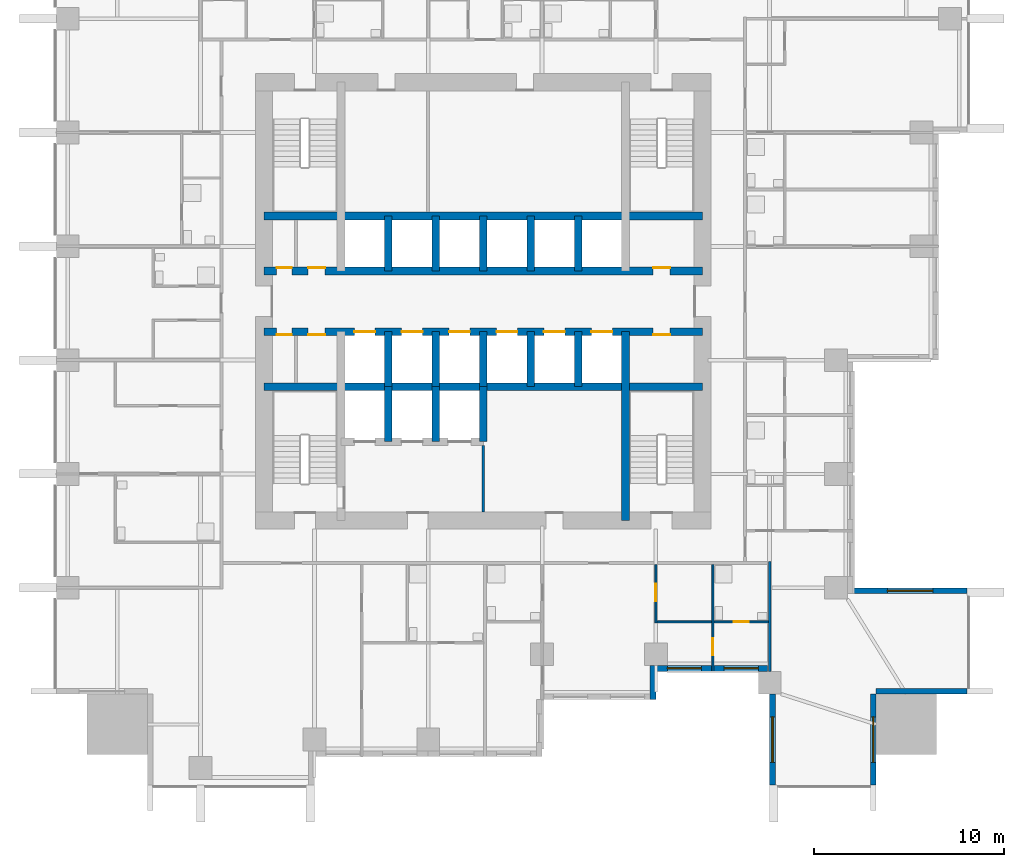
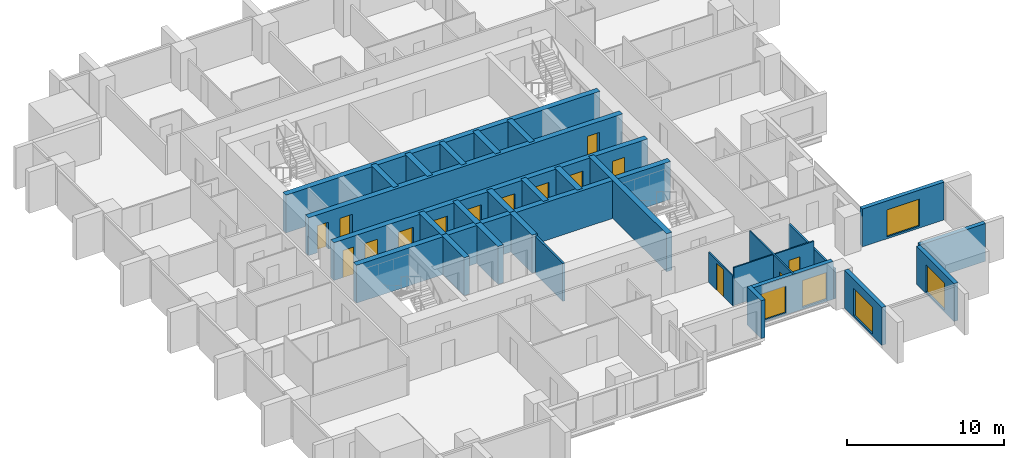
# One storey, part 5 of 10: 29 walls, 15 doors, 5 windows, 20 openings.
"""IFC4 building model written with IfcOpenShell, lengths in metres."""

from ifc_helpers import new_model, si_unit, direction, frame, frame_2d, origin, place, context, subcontext, project, spatial, rectangle, extrude, material, layer, layer_set, type_object, element, fill, save


model = new_model("IFC4")

# Units and contexts
model_context = context("Model", 3, precision=1e-05, world=origin(), true_north=direction((0.0, 1.0)))
body_context = subcontext(model_context, "Body", "Model", "MODEL_VIEW")
ifc_project = project(units=[si_unit("LENGTHUNIT", "METRE"), si_unit("AREAUNIT", "SQUARE_METRE"), si_unit("VOLUMEUNIT", "CUBIC_METRE"), si_unit("PLANEANGLEUNIT", "RADIAN"), si_unit("MASSUNIT", "GRAM", prefix="KILO")], contexts=[model_context])

# Site, building, storey
site_placement = place(None, origin())
site = spatial("IfcSite", under=ifc_project, at=site_placement, CompositionType="ELEMENT")
building_placement = place(site_placement, origin())
building = spatial("IfcBuilding", under=site, at=building_placement, Name="Amberfall Residences", CompositionType="ELEMENT")
storey_placement = place(building_placement, frame((0.0, 0.0, 66.39990234375)))
storey = spatial("IfcBuildingStorey", under=building, at=storey_placement, Name="L18", CompositionType="ELEMENT", Elevation=66.39990234375)

# Wall
ifc_material_1 = material(Name="Pale stone cladding on insulated backing", Category="masonry")
ifc_layer_1 = layer(ifc_material_1, 0.300048828125)
ifc_layer_set_1 = layer_set([ifc_layer_1], Name="Bronze clad wall 300")
wall_type_1 = type_object("IfcWallType", Name="Bronze clad wall 300", PredefinedType="SOLIDWALL", material=ifc_layer_set_1)
wall_1_placement = place(storey_placement, frame((83.449951171875, 24.5, 0.0), z_axis=(0.0, 0.0, 1.0), x_axis=(0.0, 1.0, 0.0)))
element("IfcWall", 1, at=wall_1_placement, inside=storey, type_object=wall_type_1, Name="External wall L18 S", PredefinedType="SOLIDWALL", context=body_context, shape_type="SweptSolid", body=[
    extrude(rectangle(XDim=1.800048828125, YDim=0.300048828125, at=frame_2d((0.89990234375, 0.0))), origin(), (0.0, 0.0, 1.0), 2.9501953125),
])

# Wall, opening, window
wall_2_placement = place(storey_placement, frame((89.75, 24.800048828125, 0.0), z_axis=(0.0, 0.0, 1.0), x_axis=(0.0, -1.0, 0.0)))
wall_2 = element("IfcWall", 2, at=wall_2_placement, inside=storey, type_object=wall_type_1, Name="External wall L18 S", PredefinedType="SOLIDWALL", context=body_context, shape_type="SweptSolid", body=[
    extrude(rectangle(XDim=4.800048828125, YDim=0.300048828125, at=frame_2d((2.39990234375, 0.0))), origin(), (0.0, 0.0, 1.0), 2.9501953125),
])
opening_1_placement = place(wall_2_placement, frame((1.199951171875, 0.0, 0.14990234375)))
opening_1 = element("IfcOpeningElement", 3, at=opening_1_placement, cuts=wall_2, Name="Opening WN5", PredefinedType="OPENING", context=body_context, shape_type="SweptSolid", body=[
    extrude(rectangle(XDim=2.39990234375, YDim=2.10009765625, at=frame_2d((1.199951171875, 1.050048828125))), frame((0.0, 0.159912109375, 0.0), z_axis=(0.0, -1.0, 0.0), x_axis=(1.0, 0.0, 0.0)), (0.0, 0.0, 1.0), 0.320068359375),
])
ifc_material_2 = material(Name="Bronze aluminium framed glazing", Category="aluminium")
window_type_1 = type_object("IfcWindowType", Name="Glazed opening 2400 x 2100 bronze", PartitioningType="DOUBLE_PANEL_VERTICAL", PredefinedType="WINDOW", material=ifc_material_2)
window_1_placement = place(opening_1_placement, origin())
window_1 = element("IfcWindow", 4, at=window_1_placement, inside=storey, type_object=window_type_1, Name="Window L18 S", OverallHeight=2.10009765625, OverallWidth=2.39990234375, PartitioningType="DOUBLE_PANEL_VERTICAL", PredefinedType="WINDOW", context=body_context, shape_type="SweptSolid", body=[
    extrude(rectangle(XDim=2.39990234375, YDim=2.10009765625, at=frame_2d((1.199951171875, 1.050048828125))), frame((0.0, 0.030029296875, 0.0), z_axis=(0.0, -1.0, 0.0), x_axis=(1.0, 0.0, 0.0)), (0.0, 0.0, 1.0), 0.06005859375),
])
fill(opening_1, window_1)

wall_3_placement = place(storey_placement, frame((95.050048828125, 20.0, 0.0), z_axis=(0.0, 0.0, 1.0), x_axis=(0.0, 1.0, 0.0)))
wall_3 = element("IfcWall", 5, at=wall_3_placement, inside=storey, type_object=wall_type_1, Name="External wall L18 SE", PredefinedType="SOLIDWALL", context=body_context, shape_type="SweptSolid", body=[
    extrude(rectangle(XDim=4.800048828125, YDim=0.300048828125, at=frame_2d((2.39990234375, 0.0))), origin(), (0.0, 0.0, 1.0), 2.9501953125),
])
opening_2_placement = place(wall_3_placement, frame((1.199951171875, 0.0, 0.14990234375)))
opening_2 = element("IfcOpeningElement", 6, at=opening_2_placement, cuts=wall_3, Name="Opening WN5", PredefinedType="OPENING", context=body_context, shape_type="SweptSolid", body=[
    extrude(rectangle(XDim=2.39990234375, YDim=2.10009765625, at=frame_2d((1.199951171875, 1.050048828125))), frame((0.0, 0.159912109375, 0.0), z_axis=(0.0, -1.0, 0.0), x_axis=(1.0, 0.0, 0.0)), (0.0, 0.0, 1.0), 0.320068359375),
])
window_2_placement = place(opening_2_placement, origin())
window_2 = element("IfcWindow", 7, at=window_2_placement, inside=storey, type_object=window_type_1, Name="Window L18 SE", OverallHeight=2.10009765625, OverallWidth=2.39990234375, PartitioningType="DOUBLE_PANEL_VERTICAL", PredefinedType="WINDOW", context=body_context, shape_type="SweptSolid", body=[
    extrude(rectangle(XDim=2.39990234375, YDim=2.10009765625, at=frame_2d((1.199951171875, 1.050048828125))), frame((0.0, 0.030029296875, 0.0), z_axis=(0.0, -1.0, 0.0), x_axis=(1.0, 0.0, 0.0)), (0.0, 0.0, 1.0), 0.06005859375),
])
fill(opening_2, window_2)

# Wall
wall_4_placement = place(storey_placement, frame((95.199951171875, 24.949951171875, 0.0), z_axis=(0.0, 0.0, 1.0), x_axis=(1.0, 0.0, 0.0)))
element("IfcWall", 8, at=wall_4_placement, inside=storey, type_object=wall_type_1, Name="External wall L18 SE", PredefinedType="SOLIDWALL", context=body_context, shape_type="SweptSolid", body=[
    extrude(rectangle(XDim=4.800048828125, YDim=0.300048828125, at=frame_2d((2.39990234375, 0.0))), origin(), (0.0, 0.0, 1.0), 2.9501953125),
])

# Wall, opening, window
wall_5_placement = place(storey_placement, frame((100.0, 30.25, 0.0), z_axis=(0.0, 0.0, 1.0), x_axis=(-1.0, 0.0, 0.0)))
wall_5 = element("IfcWall", 9, at=wall_5_placement, inside=storey, type_object=wall_type_1, Name="External wall L18 E", PredefinedType="SOLIDWALL", context=body_context, shape_type="SweptSolid", body=[
    extrude(rectangle(XDim=6.0, YDim=0.300048828125, at=frame_2d((3.0, 0.0))), origin(), (0.0, 0.0, 1.0), 2.9501953125),
])
opening_3_placement = place(wall_5_placement, frame((1.800048828125, 0.0, 0.14990234375)))
opening_3 = element("IfcOpeningElement", 10, at=opening_3_placement, cuts=wall_5, Name="Opening WN5", PredefinedType="OPENING", context=body_context, shape_type="SweptSolid", body=[
    extrude(rectangle(XDim=2.39990234375, YDim=2.10009765625, at=frame_2d((1.199951171875, 1.050048828125))), frame((0.0, 0.159912109375, 0.0), z_axis=(0.0, -1.0, 0.0), x_axis=(1.0, 0.0, 0.0)), (0.0, 0.0, 1.0), 0.320068359375),
])
window_3_placement = place(opening_3_placement, origin())
window_3 = element("IfcWindow", 11, at=window_3_placement, inside=storey, type_object=window_type_1, Name="Window L18 E", OverallHeight=2.10009765625, OverallWidth=2.39990234375, PartitioningType="DOUBLE_PANEL_VERTICAL", PredefinedType="WINDOW", context=body_context, shape_type="SweptSolid", body=[
    extrude(rectangle(XDim=2.39990234375, YDim=2.10009765625, at=frame_2d((1.199951171875, 1.050048828125))), frame((0.0, 0.030029296875, 0.0), z_axis=(0.0, -1.0, 0.0), x_axis=(1.0, 0.0, 0.0)), (0.0, 0.0, 1.0), 0.06005859375),
])
fill(opening_3, window_3)

# Wall, openings, windows
wall_6_placement = place(storey_placement, frame((83.60009765625, 26.14990234375, 0.0), z_axis=(0.0, 0.0, 1.0), x_axis=(1.0, 0.0, 0.0)))
wall_6 = element("IfcWall", 12, at=wall_6_placement, inside=storey, type_object=wall_type_1, Name="Stone wall L18 S", PredefinedType="SOLIDWALL", context=body_context, shape_type="SweptSolid", body=[
    extrude(rectangle(XDim=5.8798828125, YDim=0.300048828125, at=frame_2d((2.93994140625, 0.0))), origin(), (0.0, 0.0, 1.0), 2.9501953125),
])
opening_4_placement = place(wall_6_placement, frame((0.60009765625, 0.0, 0.14990234375)))
opening_4 = element("IfcOpeningElement", 13, at=opening_4_placement, cuts=wall_6, Name="Opening WN6", PredefinedType="OPENING", context=body_context, shape_type="SweptSolid", body=[
    extrude(rectangle(XDim=1.800048828125, YDim=2.10009765625, at=frame_2d((0.89990234375, 1.050048828125))), frame((0.0, 0.159912109375, 0.0), z_axis=(0.0, -1.0, 0.0), x_axis=(1.0, 0.0, 0.0)), (0.0, 0.0, 1.0), 0.320068359375),
])
opening_5_placement = place(wall_6_placement, frame((3.60009765625, 0.0, 0.14990234375)))
opening_5 = element("IfcOpeningElement", 14, at=opening_5_placement, cuts=wall_6, Name="Opening WN6", PredefinedType="OPENING", context=body_context, shape_type="SweptSolid", body=[
    extrude(rectangle(XDim=1.800048828125, YDim=2.10009765625, at=frame_2d((0.89990234375, 1.050048828125))), frame((0.0, 0.159912109375, 0.0), z_axis=(0.0, -1.0, 0.0), x_axis=(1.0, 0.0, 0.0)), (0.0, 0.0, 1.0), 0.320068359375),
])
window_type_2 = type_object("IfcWindowType", Name="Glazed opening 1800 x 2100 bronze", PartitioningType="DOUBLE_PANEL_VERTICAL", PredefinedType="WINDOW", material=ifc_material_2)
window_4_placement = place(opening_4_placement, origin())
window_4 = element("IfcWindow", 15, at=window_4_placement, inside=storey, type_object=window_type_2, Name="Window L18 S", OverallHeight=2.10009765625, OverallWidth=1.800048828125, PartitioningType="DOUBLE_PANEL_VERTICAL", PredefinedType="WINDOW", context=body_context, shape_type="SweptSolid", body=[
    extrude(rectangle(XDim=1.800048828125, YDim=2.10009765625, at=frame_2d((0.89990234375, 1.050048828125))), frame((0.0, 0.030029296875, 0.0), z_axis=(0.0, -1.0, 0.0), x_axis=(1.0, 0.0, 0.0)), (0.0, 0.0, 1.0), 0.06005859375),
])
fill(opening_4, window_4)
window_5_placement = place(opening_5_placement, origin())
window_5 = element("IfcWindow", 16, at=window_5_placement, inside=storey, type_object=window_type_2, Name="Window L18 S", OverallHeight=2.10009765625, OverallWidth=1.800048828125, PartitioningType="DOUBLE_PANEL_VERTICAL", PredefinedType="WINDOW", context=body_context, shape_type="SweptSolid", body=[
    extrude(rectangle(XDim=1.800048828125, YDim=2.10009765625, at=frame_2d((0.89990234375, 1.050048828125))), frame((0.0, 0.030029296875, 0.0), z_axis=(0.0, -1.0, 0.0), x_axis=(1.0, 0.0, 0.0)), (0.0, 0.0, 1.0), 0.06005859375),
])
fill(opening_5, window_5)

# Wall
ifc_material_3 = material(Name="Concrete C80", Category="concrete")
ifc_layer_2 = layer(ifc_material_3, 0.39990234375)
ifc_layer_set_2 = layer_set([ifc_layer_2], Name="Core wall 400 C80")
wall_type_2 = type_object("IfcWallType", Name="Core wall 400 C80", PredefinedType="SHEAR", material=ifc_layer_set_2)
wall_7_placement = place(storey_placement, frame((62.949951171875, 41.0, 0.0), z_axis=(0.0, 0.0, 1.0), x_axis=(1.0, 0.0, 0.0)))
element("IfcWall", 17, at=wall_7_placement, inside=storey, type_object=wall_type_2, Name="Core wall RW2 L18 H75", PredefinedType="SHEAR", context=body_context, shape_type="SweptSolid", body=[
    extrude(rectangle(XDim=23.10009765625, YDim=0.39990234375, at=frame_2d((11.550048828125, 0.0))), origin(), (0.0, 0.0, 1.0), 2.9501953125),
])

# Wall, openings, doors
wall_8_placement = place(storey_placement, frame((62.949951171875, 43.89990234375, 0.0), z_axis=(0.0, 0.0, 1.0), x_axis=(1.0, 0.0, 0.0)))
wall_8 = element("IfcWall", 18, at=wall_8_placement, inside=storey, type_object=wall_type_2, Name="Core wall RW2 L18 H104", PredefinedType="SHEAR", context=body_context, shape_type="SweptSolid", body=[
    extrude(rectangle(XDim=23.10009765625, YDim=0.39990234375, at=frame_2d((11.550048828125, 0.0))), origin(), (0.0, 0.0, 1.0), 2.9501953125),
])
opening_6_placement = place(wall_8_placement, frame((0.662109375, 0.0, 0.0)))
opening_6 = element("IfcOpeningElement", 19, at=opening_6_placement, cuts=wall_8, Name="Opening RD2", PredefinedType="OPENING", context=body_context, shape_type="SweptSolid", body=[
    extrude(rectangle(XDim=0.800048828125, YDim=2.10009765625, at=frame_2d((0.39990234375, 1.050048828125))), frame((0.0, 0.2099609375, 0.0), z_axis=(0.0, -1.0, 0.0), x_axis=(1.0, 0.0, 0.0)), (0.0, 0.0, 1.0), 0.419921875),
])
opening_7_placement = place(wall_8_placement, frame((2.31201171875, 0.0, 0.0)))
opening_7 = element("IfcOpeningElement", 20, at=opening_7_placement, cuts=wall_8, Name="Opening RD1", PredefinedType="OPENING", context=body_context, shape_type="SweptSolid", body=[
    extrude(rectangle(XDim=0.89990234375, YDim=2.10009765625, at=frame_2d((0.449951171875, 1.050048828125))), frame((0.0, 0.2099609375, 0.0), z_axis=(0.0, -1.0, 0.0), x_axis=(1.0, 0.0, 0.0)), (0.0, 0.0, 1.0), 0.419921875),
])
opening_8_placement = place(wall_8_placement, frame((20.5, 0.0, 0.0)))
opening_8 = element("IfcOpeningElement", 21, at=opening_8_placement, cuts=wall_8, Name="Opening RD1", PredefinedType="OPENING", context=body_context, shape_type="SweptSolid", body=[
    extrude(rectangle(XDim=0.89990234375, YDim=2.10009765625, at=frame_2d((0.449951171875, 1.050048828125))), frame((0.0, 0.2099609375, 0.0), z_axis=(0.0, -1.0, 0.0), x_axis=(1.0, 0.0, 0.0)), (0.0, 0.0, 1.0), 0.419921875),
])
opening_9_placement = place(wall_8_placement, frame((4.75, 0.0, 0.0)))
opening_9 = element("IfcOpeningElement", 22, at=opening_9_placement, cuts=wall_8, Name="Opening LD1", PredefinedType="OPENING", context=body_context, shape_type="SweptSolid", body=[
    extrude(rectangle(XDim=1.10009765625, YDim=2.10009765625, at=frame_2d((0.550048828125, 1.050048828125))), frame((0.0, 0.2099609375, 0.0), z_axis=(0.0, -1.0, 0.0), x_axis=(1.0, 0.0, 0.0)), (0.0, 0.0, 1.0), 0.419921875),
])
opening_10_placement = place(wall_8_placement, frame((7.25, 0.0, 0.0)))
opening_10 = element("IfcOpeningElement", 23, at=opening_10_placement, cuts=wall_8, Name="Opening LD1", PredefinedType="OPENING", context=body_context, shape_type="SweptSolid", body=[
    extrude(rectangle(XDim=1.10009765625, YDim=2.10009765625, at=frame_2d((0.550048828125, 1.050048828125))), frame((0.0, 0.2099609375, 0.0), z_axis=(0.0, -1.0, 0.0), x_axis=(1.0, 0.0, 0.0)), (0.0, 0.0, 1.0), 0.419921875),
])
opening_11_placement = place(wall_8_placement, frame((9.75, 0.0, 0.0)))
opening_11 = element("IfcOpeningElement", 24, at=opening_11_placement, cuts=wall_8, Name="Opening LD1", PredefinedType="OPENING", context=body_context, shape_type="SweptSolid", body=[
    extrude(rectangle(XDim=1.10009765625, YDim=2.10009765625, at=frame_2d((0.550048828125, 1.050048828125))), frame((0.0, 0.2099609375, 0.0), z_axis=(0.0, -1.0, 0.0), x_axis=(1.0, 0.0, 0.0)), (0.0, 0.0, 1.0), 0.419921875),
])
opening_12_placement = place(wall_8_placement, frame((12.25, 0.0, 0.0)))
opening_12 = element("IfcOpeningElement", 25, at=opening_12_placement, cuts=wall_8, Name="Opening LD1", PredefinedType="OPENING", context=body_context, shape_type="SweptSolid", body=[
    extrude(rectangle(XDim=1.10009765625, YDim=2.10009765625, at=frame_2d((0.550048828125, 1.050048828125))), frame((0.0, 0.2099609375, 0.0), z_axis=(0.0, -1.0, 0.0), x_axis=(1.0, 0.0, 0.0)), (0.0, 0.0, 1.0), 0.419921875),
])
opening_13_placement = place(wall_8_placement, frame((14.75, 0.0, 0.0)))
opening_13 = element("IfcOpeningElement", 26, at=opening_13_placement, cuts=wall_8, Name="Opening LD1", PredefinedType="OPENING", context=body_context, shape_type="SweptSolid", body=[
    extrude(rectangle(XDim=1.10009765625, YDim=2.10009765625, at=frame_2d((0.550048828125, 1.050048828125))), frame((0.0, 0.2099609375, 0.0), z_axis=(0.0, -1.0, 0.0), x_axis=(1.0, 0.0, 0.0)), (0.0, 0.0, 1.0), 0.419921875),
])
opening_14_placement = place(wall_8_placement, frame((17.25, 0.0, 0.0)))
opening_14 = element("IfcOpeningElement", 27, at=opening_14_placement, cuts=wall_8, Name="Opening LD1", PredefinedType="OPENING", context=body_context, shape_type="SweptSolid", body=[
    extrude(rectangle(XDim=1.10009765625, YDim=2.10009765625, at=frame_2d((0.550048828125, 1.050048828125))), frame((0.0, 0.2099609375, 0.0), z_axis=(0.0, -1.0, 0.0), x_axis=(1.0, 0.0, 0.0)), (0.0, 0.0, 1.0), 0.419921875),
])
ifc_material_4 = material(Name="Steel fire door set", Category="steel")
door_type_1 = type_object("IfcDoorType", Name="Lift landing door 1100 x 2100", OperationType="DOUBLE_DOOR_SLIDING", PredefinedType="DOOR", material=ifc_material_4)
door_1_placement = place(opening_9_placement, origin())
door_1 = element("IfcDoor", 28, at=door_1_placement, inside=storey, type_object=door_type_1, Name="Landing door LP1 L18", OperationType="DOUBLE_DOOR_SLIDING", OverallHeight=2.10009765625, OverallWidth=1.10009765625, PredefinedType="DOOR", context=body_context, shape_type="SweptSolid", body=[
    extrude(rectangle(XDim=1.10009765625, YDim=2.10009765625, at=frame_2d((0.550048828125, 1.050048828125))), frame((0.0, 0.02490234375, 0.0), z_axis=(0.0, -1.0, 0.0), x_axis=(1.0, 0.0, 0.0)), (0.0, 0.0, 1.0), 0.050048828125),
])
fill(opening_9, door_1)
door_2_placement = place(opening_10_placement, origin())
door_2 = element("IfcDoor", 29, at=door_2_placement, inside=storey, type_object=door_type_1, Name="Landing door LP2 L18", OperationType="DOUBLE_DOOR_SLIDING", OverallHeight=2.10009765625, OverallWidth=1.10009765625, PredefinedType="DOOR", context=body_context, shape_type="SweptSolid", body=[
    extrude(rectangle(XDim=1.10009765625, YDim=2.10009765625, at=frame_2d((0.550048828125, 1.050048828125))), frame((0.0, 0.02490234375, 0.0), z_axis=(0.0, -1.0, 0.0), x_axis=(1.0, 0.0, 0.0)), (0.0, 0.0, 1.0), 0.050048828125),
])
fill(opening_10, door_2)
door_3_placement = place(opening_11_placement, origin())
door_3 = element("IfcDoor", 30, at=door_3_placement, inside=storey, type_object=door_type_1, Name="Landing door LP3 L18", OperationType="DOUBLE_DOOR_SLIDING", OverallHeight=2.10009765625, OverallWidth=1.10009765625, PredefinedType="DOOR", context=body_context, shape_type="SweptSolid", body=[
    extrude(rectangle(XDim=1.10009765625, YDim=2.10009765625, at=frame_2d((0.550048828125, 1.050048828125))), frame((0.0, 0.02490234375, 0.0), z_axis=(0.0, -1.0, 0.0), x_axis=(1.0, 0.0, 0.0)), (0.0, 0.0, 1.0), 0.050048828125),
])
fill(opening_11, door_3)
door_4_placement = place(opening_12_placement, origin())
door_4 = element("IfcDoor", 31, at=door_4_placement, inside=storey, type_object=door_type_1, Name="Landing door LP4 L18", OperationType="DOUBLE_DOOR_SLIDING", OverallHeight=2.10009765625, OverallWidth=1.10009765625, PredefinedType="DOOR", context=body_context, shape_type="SweptSolid", body=[
    extrude(rectangle(XDim=1.10009765625, YDim=2.10009765625, at=frame_2d((0.550048828125, 1.050048828125))), frame((0.0, 0.02490234375, 0.0), z_axis=(0.0, -1.0, 0.0), x_axis=(1.0, 0.0, 0.0)), (0.0, 0.0, 1.0), 0.050048828125),
])
fill(opening_12, door_4)
door_5_placement = place(opening_13_placement, origin())
door_5 = element("IfcDoor", 32, at=door_5_placement, inside=storey, type_object=door_type_1, Name="Landing door LP5 L18", OperationType="DOUBLE_DOOR_SLIDING", OverallHeight=2.10009765625, OverallWidth=1.10009765625, PredefinedType="DOOR", context=body_context, shape_type="SweptSolid", body=[
    extrude(rectangle(XDim=1.10009765625, YDim=2.10009765625, at=frame_2d((0.550048828125, 1.050048828125))), frame((0.0, 0.02490234375, 0.0), z_axis=(0.0, -1.0, 0.0), x_axis=(1.0, 0.0, 0.0)), (0.0, 0.0, 1.0), 0.050048828125),
])
fill(opening_13, door_5)
door_6_placement = place(opening_14_placement, origin())
door_6 = element("IfcDoor", 33, at=door_6_placement, inside=storey, type_object=door_type_1, Name="Landing door LP6 L18", OperationType="DOUBLE_DOOR_SLIDING", OverallHeight=2.10009765625, OverallWidth=1.10009765625, PredefinedType="DOOR", context=body_context, shape_type="SweptSolid", body=[
    extrude(rectangle(XDim=1.10009765625, YDim=2.10009765625, at=frame_2d((0.550048828125, 1.050048828125))), frame((0.0, 0.02490234375, 0.0), z_axis=(0.0, -1.0, 0.0), x_axis=(1.0, 0.0, 0.0)), (0.0, 0.0, 1.0), 0.050048828125),
])
fill(opening_14, door_6)
door_type_2 = type_object("IfcDoorType", Name="Service room door 800 x 2100", OperationType="SINGLE_SWING_LEFT", PredefinedType="DOOR", material=ifc_material_4)
door_7_placement = place(opening_6_placement, origin())
door_7 = element("IfcDoor", 34, at=door_7_placement, inside=storey, type_object=door_type_2, Name="RD2 L18", OperationType="SINGLE_SWING_LEFT", OverallHeight=2.10009765625, OverallWidth=0.800048828125, PredefinedType="DOOR", context=body_context, shape_type="SweptSolid", body=[
    extrude(rectangle(XDim=0.800048828125, YDim=2.10009765625, at=frame_2d((0.39990234375, 1.050048828125))), frame((0.0, -0.1376953125, 0.0), z_axis=(0.0, -1.0, 0.0), x_axis=(1.0, 0.0, 0.0)), (0.0, 0.0, 1.0), 0.050048828125),
])
fill(opening_6, door_7)
door_type_3 = type_object("IfcDoorType", Name="Service room door 900 x 2100", OperationType="SINGLE_SWING_LEFT", PredefinedType="DOOR", material=ifc_material_4)
door_8_placement = place(opening_7_placement, origin())
door_8 = element("IfcDoor", 35, at=door_8_placement, inside=storey, type_object=door_type_3, Name="RD1 L18", OperationType="SINGLE_SWING_RIGHT", OverallHeight=2.10009765625, OverallWidth=0.89990234375, PredefinedType="DOOR", context=body_context, shape_type="SweptSolid", body=[
    extrude(rectangle(XDim=0.89990234375, YDim=2.10009765625, at=frame_2d((0.449951171875, 1.050048828125))), frame((0.0, -0.1376953125, 0.0), z_axis=(0.0, -1.0, 0.0), x_axis=(1.0, 0.0, 0.0)), (0.0, 0.0, 1.0), 0.050048828125),
])
fill(opening_7, door_8)
door_9_placement = place(opening_8_placement, origin())
door_9 = element("IfcDoor", 36, at=door_9_placement, inside=storey, type_object=door_type_3, Name="RD1 L18", OperationType="SINGLE_SWING_LEFT", OverallHeight=2.10009765625, OverallWidth=0.89990234375, PredefinedType="DOOR", context=body_context, shape_type="SweptSolid", body=[
    extrude(rectangle(XDim=0.89990234375, YDim=2.10009765625, at=frame_2d((0.449951171875, 1.050048828125))), frame((0.0, -0.1376953125, 0.0), z_axis=(0.0, -1.0, 0.0), x_axis=(1.0, 0.0, 0.0)), (0.0, 0.0, 1.0), 0.050048828125),
])
fill(opening_8, door_9)

wall_9_placement = place(storey_placement, frame((62.949951171875, 47.10009765625, 0.0), z_axis=(0.0, 0.0, 1.0), x_axis=(1.0, 0.0, 0.0)))
wall_9 = element("IfcWall", 37, at=wall_9_placement, inside=storey, type_object=wall_type_2, Name="Core wall RW2 L18 H136", PredefinedType="SHEAR", context=body_context, shape_type="SweptSolid", body=[
    extrude(rectangle(XDim=23.10009765625, YDim=0.39990234375, at=frame_2d((11.550048828125, 0.0))), origin(), (0.0, 0.0, 1.0), 2.9501953125),
])
opening_15_placement = place(wall_9_placement, frame((0.662109375, 0.0, 0.0)))
opening_15 = element("IfcOpeningElement", 38, at=opening_15_placement, cuts=wall_9, Name="Opening RD2", PredefinedType="OPENING", context=body_context, shape_type="SweptSolid", body=[
    extrude(rectangle(XDim=0.800048828125, YDim=2.10009765625, at=frame_2d((0.39990234375, 1.050048828125))), frame((0.0, 0.2099609375, 0.0), z_axis=(0.0, -1.0, 0.0), x_axis=(1.0, 0.0, 0.0)), (0.0, 0.0, 1.0), 0.419921875),
])
opening_16_placement = place(wall_9_placement, frame((2.31201171875, 0.0, 0.0)))
opening_16 = element("IfcOpeningElement", 39, at=opening_16_placement, cuts=wall_9, Name="Opening RD1", PredefinedType="OPENING", context=body_context, shape_type="SweptSolid", body=[
    extrude(rectangle(XDim=0.89990234375, YDim=2.10009765625, at=frame_2d((0.449951171875, 1.050048828125))), frame((0.0, 0.2099609375, 0.0), z_axis=(0.0, -1.0, 0.0), x_axis=(1.0, 0.0, 0.0)), (0.0, 0.0, 1.0), 0.419921875),
])
opening_17_placement = place(wall_9_placement, frame((20.5, 0.0, 0.0)))
opening_17 = element("IfcOpeningElement", 40, at=opening_17_placement, cuts=wall_9, Name="Opening RD1", PredefinedType="OPENING", context=body_context, shape_type="SweptSolid", body=[
    extrude(rectangle(XDim=0.89990234375, YDim=2.10009765625, at=frame_2d((0.449951171875, 1.050048828125))), frame((0.0, 0.2099609375, 0.0), z_axis=(0.0, -1.0, 0.0), x_axis=(1.0, 0.0, 0.0)), (0.0, 0.0, 1.0), 0.419921875),
])
door_10_placement = place(opening_15_placement, origin())
door_10 = element("IfcDoor", 41, at=door_10_placement, inside=storey, type_object=door_type_2, Name="RD2 L18", OperationType="SINGLE_SWING_LEFT", OverallHeight=2.10009765625, OverallWidth=0.800048828125, PredefinedType="DOOR", context=body_context, shape_type="SweptSolid", body=[
    extrude(rectangle(XDim=0.800048828125, YDim=2.10009765625, at=frame_2d((0.39990234375, 1.050048828125))), frame((0.0, 0.1875, 0.0), z_axis=(0.0, -1.0, 0.0), x_axis=(1.0, 0.0, 0.0)), (0.0, 0.0, 1.0), 0.050048828125),
])
fill(opening_15, door_10)
door_11_placement = place(opening_16_placement, origin())
door_11 = element("IfcDoor", 42, at=door_11_placement, inside=storey, type_object=door_type_3, Name="RD1 L18", OperationType="SINGLE_SWING_RIGHT", OverallHeight=2.10009765625, OverallWidth=0.89990234375, PredefinedType="DOOR", context=body_context, shape_type="SweptSolid", body=[
    extrude(rectangle(XDim=0.89990234375, YDim=2.10009765625, at=frame_2d((0.449951171875, 1.050048828125))), frame((0.0, 0.1875, 0.0), z_axis=(0.0, -1.0, 0.0), x_axis=(1.0, 0.0, 0.0)), (0.0, 0.0, 1.0), 0.050048828125),
])
fill(opening_16, door_11)
door_12_placement = place(opening_17_placement, origin())
door_12 = element("IfcDoor", 43, at=door_12_placement, inside=storey, type_object=door_type_3, Name="RD1 L18", OperationType="SINGLE_SWING_LEFT", OverallHeight=2.10009765625, OverallWidth=0.89990234375, PredefinedType="DOOR", context=body_context, shape_type="SweptSolid", body=[
    extrude(rectangle(XDim=0.89990234375, YDim=2.10009765625, at=frame_2d((0.449951171875, 1.050048828125))), frame((0.0, 0.1875, 0.0), z_axis=(0.0, -1.0, 0.0), x_axis=(1.0, 0.0, 0.0)), (0.0, 0.0, 1.0), 0.050048828125),
])
fill(opening_17, door_12)

# Walls
wall_10_placement = place(storey_placement, frame((62.949951171875, 50.0, 0.0), z_axis=(0.0, 0.0, 1.0), x_axis=(1.0, 0.0, 0.0)))
element("IfcWall", 44, at=wall_10_placement, inside=storey, type_object=wall_type_2, Name="Core wall RW2 L18 H165", PredefinedType="SHEAR", context=body_context, shape_type="SweptSolid", body=[
    extrude(rectangle(XDim=23.10009765625, YDim=0.39990234375, at=frame_2d((11.550048828125, 0.0))), origin(), (0.0, 0.0, 1.0), 2.9501953125),
])
wall_11_placement = place(storey_placement, frame((82.0, 33.949951171875, 0.0), z_axis=(0.0, 0.0, 1.0), x_axis=(0.0, 1.0, 0.0)))
element("IfcWall", 45, at=wall_11_placement, inside=storey, type_object=wall_type_2, Name="Core wall RW2 L18 V195S", PredefinedType="SHEAR", context=body_context, shape_type="SweptSolid", body=[
    extrude(rectangle(XDim=9.949951171875, YDim=0.39990234375, at=frame_2d((4.97509765625, 0.0))), origin(), (0.0, 0.0, 1.0), 2.9501953125),
])
for number, where, z_axis, x_axis, name in (
    (46, (69.5, 41.0, 0.0), (0.0, 0.0, 1.0), (0.0, 1.0, 0.0), "Core wall RW2 L18 LPD1"),
    (47, (69.5, 47.10009765625, 0.0), (0.0, 0.0, 1.0), (0.0, 1.0, 0.0), "Core wall RW2 L18 HPD1"),
    (48, (72.0, 41.0, 0.0), (0.0, 0.0, 1.0), (0.0, 1.0, 0.0), "Core wall RW2 L18 LPD2"),
    (49, (72.0, 47.10009765625, 0.0), (0.0, 0.0, 1.0), (0.0, 1.0, 0.0), "Core wall RW2 L18 HPD2"),
    (50, (74.5, 41.0, 0.0), (0.0, 0.0, 1.0), (0.0, 1.0, 0.0), "Core wall RW2 L18 LPD3"),
    (51, (74.5, 47.10009765625, 0.0), (0.0, 0.0, 1.0), (0.0, 1.0, 0.0), "Core wall RW2 L18 HPD3"),
    (52, (77.0, 41.0, 0.0), (0.0, 0.0, 1.0), (0.0, 1.0, 0.0), "Core wall RW2 L18 LPD4"),
    (53, (77.0, 47.10009765625, 0.0), (0.0, 0.0, 1.0), (0.0, 1.0, 0.0), "Core wall RW2 L18 HPD4"),
    (54, (79.5, 41.0, 0.0), (0.0, 0.0, 1.0), (0.0, 1.0, 0.0), "Core wall RW2 L18 LPD5"),
    (55, (79.5, 47.10009765625, 0.0), (0.0, 0.0, 1.0), (0.0, 1.0, 0.0), "Core wall RW2 L18 HPD5"),
    (56, (69.5, 38.10009765625, 0.0), (0.0, 0.0, 1.0), (0.0, 1.0, 0.0), "Core wall RW2 L18 FFD1"),
    (57, (72.0, 38.10009765625, 0.0), (0.0, 0.0, 1.0), (0.0, 1.0, 0.0), "Core wall RW2 L18 FFD2"),
    (58, (74.5, 38.10009765625, 0.0), (0.0, 0.0, 1.0), (0.0, 1.0, 0.0), "Core wall RW2 L18 FFD3"),
):
    element("IfcWall", number, at=place(storey_placement, frame(where, z_axis=z_axis, x_axis=x_axis)), inside=storey, type_object=wall_type_2, Name=name, PredefinedType="SHEAR", context=body_context, shape_type="SweptSolid", body=[
        extrude(rectangle(XDim=2.89990234375, YDim=0.39990234375, at=frame_2d((1.449951171875, 0.0))), origin(), (0.0, 0.0, 1.0), 2.9501953125),
    ])

# Wall, opening, door
ifc_material_5 = material(Name="Gypsum board on metal stud")
ifc_layer_3 = layer(ifc_material_5, 0.10009765625)
ifc_layer_set_3 = layer_set([ifc_layer_3], Name="Flat partition 100")
wall_type_3 = type_object("IfcWallType", Name="Flat partition 100", PredefinedType="PARTITIONING", material=ifc_layer_set_3)
wall_12_placement = place(storey_placement, frame((83.60009765625, 31.625, 0.0), z_axis=(0.0, 0.0, 1.0), x_axis=(0.0, -1.0, 0.0)))
wall_12 = element("IfcWall", 59, at=wall_12_placement, inside=storey, type_object=wall_type_3, Name="Partition 015", PredefinedType="PARTITIONING", context=body_context, shape_type="SweptSolid", body=[
    extrude(rectangle(XDim=3.074951171875, YDim=0.10009765625, at=frame_2d((1.53759765625, 0.0))), origin(), (0.0, 0.0, 1.0), 2.33203125),
])
opening_18_placement = place(wall_12_placement, frame((1.02490234375, 0.0, 0.0)))
opening_18 = element("IfcOpeningElement", 60, at=opening_18_placement, cuts=wall_12, Name="Opening D41", PredefinedType="OPENING", context=body_context, shape_type="SweptSolid", body=[
    extrude(rectangle(XDim=0.89990234375, YDim=2.10009765625, at=frame_2d((0.449951171875, 1.050048828125))), frame((0.0, 0.06005859375, 0.0), z_axis=(0.0, -1.0, 0.0), x_axis=(1.0, 0.0, 0.0)), (0.0, 0.0, 1.0), 0.1201171875),
])
ifc_material_6 = material(Name="Timber", Category="wood")
door_type_4 = type_object("IfcDoorType", Name="Internal door 900 x 2100", OperationType="SINGLE_SWING_LEFT", PredefinedType="DOOR", material=ifc_material_6)
door_13_placement = place(opening_18_placement, origin())
door_13 = element("IfcDoor", 61, at=door_13_placement, inside=storey, type_object=door_type_4, Name="Door 1802 kitchen", OperationType="SINGLE_SWING_LEFT", OverallHeight=2.10009765625, OverallWidth=0.89990234375, PredefinedType="DOOR", context=body_context, shape_type="SweptSolid", body=[
    extrude(rectangle(XDim=0.89990234375, YDim=2.10009765625, at=frame_2d((0.449951171875, 1.050048828125))), frame((0.0, 0.02490234375, 0.0), z_axis=(0.0, -1.0, 0.0), x_axis=(1.0, 0.0, 0.0)), (0.0, 0.0, 1.0), 0.050048828125),
])
fill(opening_18, door_13)

wall_13_placement = place(storey_placement, frame((86.60009765625, 31.625, 0.0), z_axis=(0.0, 0.0, 1.0), x_axis=(0.0, -1.0, 0.0)))
wall_13 = element("IfcWall", 62, at=wall_13_placement, inside=storey, type_object=wall_type_3, Name="Partition 017", PredefinedType="PARTITIONING", context=body_context, shape_type="SweptSolid", body=[
    extrude(rectangle(XDim=5.625, YDim=0.10009765625, at=frame_2d((2.8125, 0.0))), origin(), (0.0, 0.0, 1.0), 2.9501953125),
])
opening_19_placement = place(wall_13_placement, frame((3.875, 0.0, 0.0)))
opening_19 = element("IfcOpeningElement", 63, at=opening_19_placement, cuts=wall_13, Name="Opening D41", PredefinedType="OPENING", context=body_context, shape_type="SweptSolid", body=[
    extrude(rectangle(XDim=0.89990234375, YDim=2.10009765625, at=frame_2d((0.449951171875, 1.050048828125))), frame((0.0, 0.06005859375, 0.0), z_axis=(0.0, -1.0, 0.0), x_axis=(1.0, 0.0, 0.0)), (0.0, 0.0, 1.0), 0.1201171875),
])
door_14_placement = place(opening_19_placement, origin())
door_14 = element("IfcDoor", 64, at=door_14_placement, inside=storey, type_object=door_type_4, Name="Door 1802 bedroom2", OperationType="SINGLE_SWING_LEFT", OverallHeight=2.10009765625, OverallWidth=0.89990234375, PredefinedType="DOOR", context=body_context, shape_type="SweptSolid", body=[
    extrude(rectangle(XDim=0.89990234375, YDim=2.10009765625, at=frame_2d((0.449951171875, 1.050048828125))), frame((0.0, 0.02490234375, 0.0), z_axis=(0.0, -1.0, 0.0), x_axis=(1.0, 0.0, 0.0)), (0.0, 0.0, 1.0), 0.050048828125),
])
fill(opening_19, door_14)

wall_14_placement = place(storey_placement, frame((83.64990234375, 28.60009765625, 0.0), z_axis=(0.0, 0.0, 1.0), x_axis=(1.0, 0.0, 0.0)))
wall_14 = element("IfcWall", 65, at=wall_14_placement, inside=storey, type_object=wall_type_3, Name="Partition 039", PredefinedType="PARTITIONING", context=body_context, shape_type="SweptSolid", body=[
    extrude(rectangle(XDim=5.875, YDim=0.10009765625, at=frame_2d((2.9375, 0.0))), origin(), (0.0, 0.0, 1.0), 2.9501953125),
])
opening_20_placement = place(wall_14_placement, frame((4.050048828125, 0.0, 0.0)))
opening_20 = element("IfcOpeningElement", 66, at=opening_20_placement, cuts=wall_14, Name="Opening D42", PredefinedType="OPENING", context=body_context, shape_type="SweptSolid", body=[
    extrude(rectangle(XDim=0.800048828125, YDim=2.10009765625, at=frame_2d((0.39990234375, 1.050048828125))), frame((0.0, 0.06005859375, 0.0), z_axis=(0.0, -1.0, 0.0), x_axis=(1.0, 0.0, 0.0)), (0.0, 0.0, 1.0), 0.1201171875),
])
door_type_5 = type_object("IfcDoorType", Name="Bathroom door 800 x 2100", OperationType="SINGLE_SWING_LEFT", PredefinedType="DOOR", material=ifc_material_6)
door_15_placement = place(opening_20_placement, origin())
door_15 = element("IfcDoor", 67, at=door_15_placement, inside=storey, type_object=door_type_5, Name="Door 1802 bath2", OperationType="SINGLE_SWING_LEFT", OverallHeight=2.10009765625, OverallWidth=0.800048828125, PredefinedType="DOOR", context=body_context, shape_type="SweptSolid", body=[
    extrude(rectangle(XDim=0.800048828125, YDim=2.10009765625, at=frame_2d((0.39990234375, 1.050048828125))), frame((0.0, 0.02490234375, 0.0), z_axis=(0.0, -1.0, 0.0), x_axis=(1.0, 0.0, 0.0)), (0.0, 0.0, 1.0), 0.050048828125),
])
fill(opening_20, door_15)

# Walls
ifc_material_7 = material(Name="Blockwork, plastered", Category="masonry")
ifc_layer_4 = layer(ifc_material_7, 0.14990234375)
ifc_layer_set_4 = layer_set([ifc_layer_4], Name="Flat separating wall 150")
wall_type_4 = type_object("IfcWallType", Name="Flat separating wall 150", PredefinedType="PARTITIONING", material=ifc_layer_set_4)
wall_15_placement = place(storey_placement, frame((89.60009765625, 26.0, 0.0), z_axis=(0.0, 0.0, 1.0), x_axis=(0.0, 1.0, 0.0)))
element("IfcWall", 68, at=wall_15_placement, inside=storey, type_object=wall_type_4, Name="Separating wall 047", PredefinedType="PARTITIONING", context=body_context, shape_type="SweptSolid", body=[
    extrude(rectangle(XDim=5.77490234375, YDim=0.14990234375, at=frame_2d((2.887451171875, 0.0))), origin(), (0.0, 0.0, 1.0), 2.33203125),
])
ifc_material_8 = material(Name="Concrete blockwork", Category="masonry")
ifc_layer_5 = layer(ifc_material_8, 0.14990234375)
ifc_layer_set_5 = layer_set([ifc_layer_5], Name="Riser wall 150")
wall_type_5 = type_object("IfcWallType", Name="Riser wall 150", PredefinedType="PLUMBINGWALL", material=ifc_layer_set_5)
wall_16_placement = place(storey_placement, frame((74.5, 34.39990234375, 0.0), z_axis=(0.0, 0.0, 1.0), x_axis=(0.0, 1.0, 0.0)))
element("IfcWall", 69, at=wall_16_placement, inside=storey, type_object=wall_type_5, Name="L18 core wall PX", PredefinedType="PLUMBINGWALL", context=body_context, shape_type="SweptSolid", body=[
    extrude(rectangle(XDim=3.5, YDim=0.14990234375, at=frame_2d((1.75, 0.0))), origin(), (0.0, 0.0, 1.0), 2.9501953125),
])

save(model, "model.ifc")
